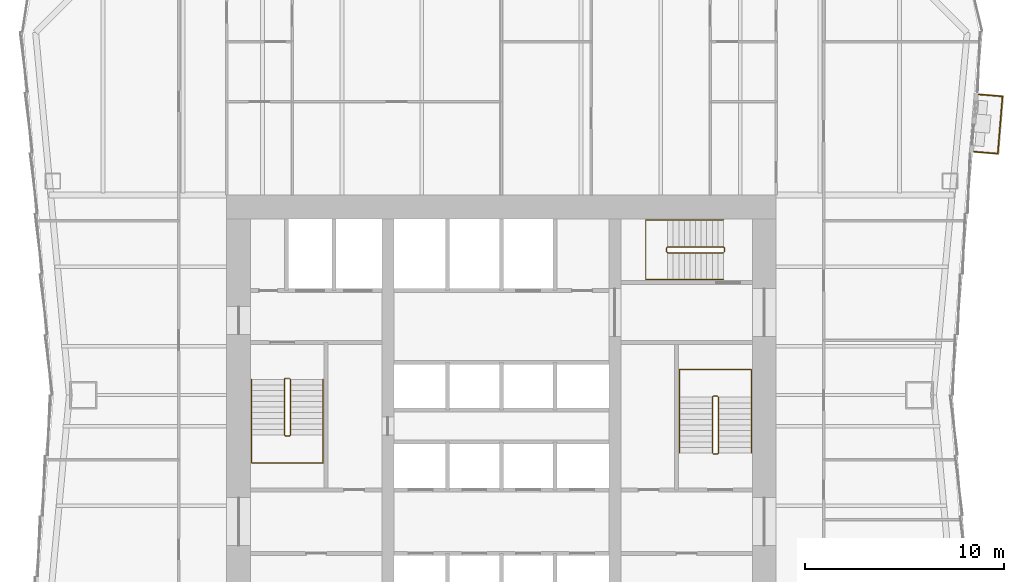
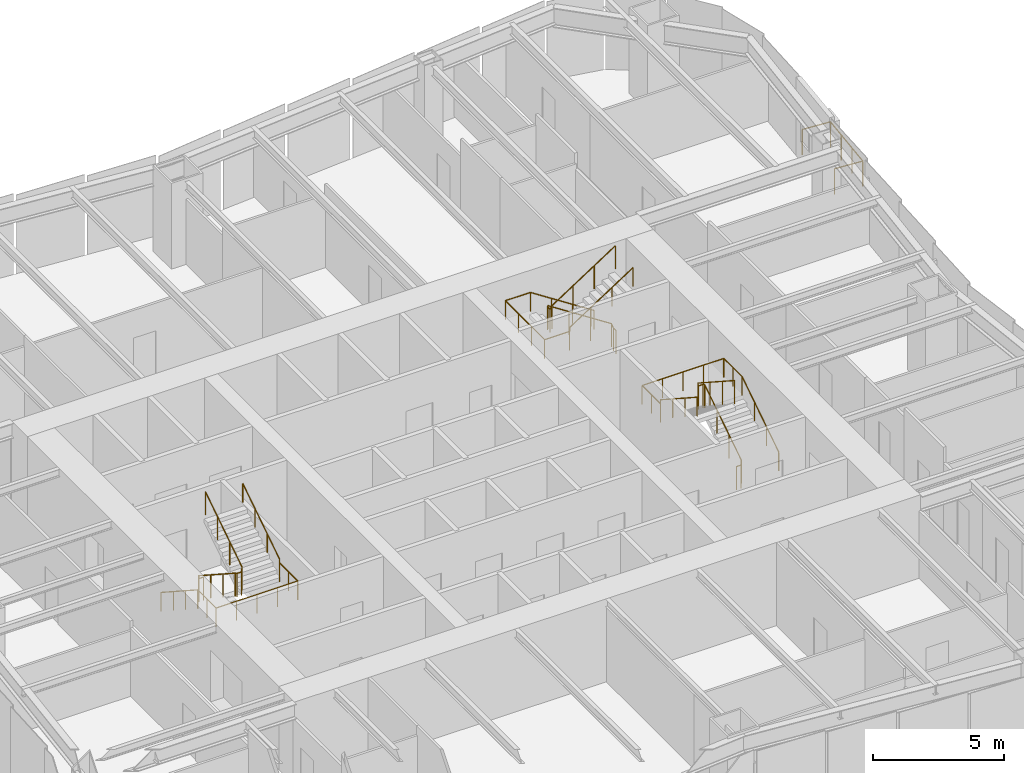
# One storey, part 8 of 9: 7 railings.
"""IFC4 building model written with IfcOpenShell, lengths in metres."""

import ifcopenshell
import ifcopenshell.guid

model = None  # the IFC model being written
_history = None  # IfcOwnerHistory: only IFC2X3 demands one
_inside = {}  # id of a spatial element -> (the spatial element, [elements in it])
_under = {}  # id of a project, library or spatial element -> (it, [spatial elements below it])
_declared = {}  # id of a project -> (the project, [libraries it declares])
_typed = {}  # id of a type object -> (the type object, [elements of that type])
_made_of = {}  # id of a material, layer set ... -> (it, [elements and type objects made of it])


def new_model(schema):
    """Start an empty IFC model of exactly this schema.

    Asked for "IFC4X3", IfcOpenShell would pick the latest addendum, in which some entities
    have other attributes; the version numbers below select the first issue.
    IFC2X3 requires an IfcOwnerHistory on every rooted entity: one is made here for all.
    """
    global model, _history
    if schema == "IFC4X3":
        model = ifcopenshell.file(schema_version=(4, 3, 0, 0))
    else:
        model = ifcopenshell.file(schema=schema)
    _inside.clear()
    _under.clear()
    _declared.clear()
    _typed.clear()
    _made_of.clear()
    _history = None
    if model.schema == "IFC2X3":
        org = make("IfcOrganization", Name="unknown")
        user = make(
            "IfcPersonAndOrganization",
            ThePerson=make("IfcPerson", FamilyName="unknown"),
            TheOrganization=org,
        )
        app = make(
            "IfcApplication",
            ApplicationDeveloper=org,
            Version="unknown",
            ApplicationFullName="unknown",
            ApplicationIdentifier="unknown",
        )
        _history = make(
            "IfcOwnerHistory",
            OwningUser=user,
            OwningApplication=app,
            ChangeAction="ADDED",
            CreationDate=0,
        )
    return model


def make(cls, **values):
    """One entity of the class cls with the attributes given. An attribute that is None is left unset."""
    return model.create_entity(
        cls, **{name: value for name, value in values.items() if value is not None}
    )


def rooted(cls, **values):
    """An entity with a GlobalId (a new one), such as an element, a storey or a relation."""
    return make(cls, GlobalId=ifcopenshell.guid.new(), OwnerHistory=_history, **values)


def si_unit(unit_type, name, prefix=None):
    """IfcSIUnit, for example si_unit("LENGTHUNIT", "METRE", prefix="MILLI")."""
    return make("IfcSIUnit", UnitType=unit_type, Prefix=prefix, Name=name)


def assignment(units):
    """IfcUnitAssignment: the units of a project."""
    return None if units is None else make("IfcUnitAssignment", Units=units)


def point(xyz):
    """IfcCartesianPoint."""
    return None if xyz is None else make("IfcCartesianPoint", Coordinates=xyz)


def direction(xyz):
    """IfcDirection."""
    return None if xyz is None else make("IfcDirection", DirectionRatios=xyz)


def frame(location, z_axis=None, x_axis=None):
    """IfcAxis2Placement3D, a coordinate frame: its origin and axes. An axis left out is left unset."""
    return make(
        "IfcAxis2Placement3D",
        Location=point(location),
        Axis=direction(z_axis),
        RefDirection=direction(x_axis),
    )


def frame_2d(location, x_axis=None):
    """IfcAxis2Placement2D, a coordinate frame in the plane: its origin and x axis."""
    return make(
        "IfcAxis2Placement2D", Location=point(location), RefDirection=direction(x_axis)
    )


def origin():
    """The frame at (0, 0, 0) with its axes left unset."""
    return frame((0.0, 0.0, 0.0))


def origin_2d():
    """The frame at (0, 0) in the plane with its x axis left unset."""
    return frame_2d((0.0, 0.0))


def place(relative_to, where):
    """IfcLocalPlacement: puts the frame where relative to a parent placement (None: the world)."""
    return make(
        "IfcLocalPlacement", PlacementRelTo=relative_to, RelativePlacement=where
    )


def context(
    kind, dimensions, precision=None, world=None, true_north=None, identifier=None
):
    """IfcGeometricRepresentationContext, for example the 3D "Model" context."""
    return make(
        "IfcGeometricRepresentationContext",
        ContextIdentifier=identifier,
        ContextType=kind,
        CoordinateSpaceDimension=dimensions,
        Precision=precision,
        WorldCoordinateSystem=world,
        TrueNorth=true_north,
    )


def subcontext(parent, identifier, kind, view, scale=None):
    """IfcGeometricRepresentationSubContext, for example "Body" below "Model"."""
    return make(
        "IfcGeometricRepresentationSubContext",
        ContextIdentifier=identifier,
        ContextType=kind,
        ParentContext=parent,
        TargetScale=scale,
        TargetView=view,
    )


def project(units=None, contexts=None):
    """IfcProject with its units and contexts."""
    return rooted(
        "IfcProject",
        Name="project",
        RepresentationContexts=contexts,
        UnitsInContext=assignment(units),
    )


def spatial(cls, under=None, at=None, **own):
    """A site, building, storey or space (cls), placed at a placement, below another one or the project."""
    s = rooted(cls, ObjectPlacement=at, **own)
    if under is not None:
        _under.setdefault(under.id(), (under, []))[1].append(s)
    return s


def profile(cls, at=None, kind="AREA", **sizes):
    """A parametric profile (cls). Its sizes go by their IFC names, for example OverallWidth=200.0."""
    return make(cls, ProfileType=kind, Position=at, **sizes)


def circle(**sizes):
    """IfcCircleProfileDef."""
    return profile("IfcCircleProfileDef", **sizes)


def extrude(swept, where, along, depth):
    """IfcExtrudedAreaSolid: the profile swept, set in the frame where, extruded along a direction by depth."""
    return make(
        "IfcExtrudedAreaSolid",
        SweptArea=swept,
        Position=where,
        ExtrudedDirection=direction(along),
        Depth=depth,
    )


def shape(context_of_items, identifier, shape_type, items):
    """IfcShapeRepresentation: the items that make up one representation, for example the "Body"."""
    return make(
        "IfcShapeRepresentation",
        ContextOfItems=context_of_items,
        RepresentationIdentifier=identifier,
        RepresentationType=shape_type,
        Items=items,
    )


def material(Name=None, Category=None):
    """IfcMaterial."""
    return make("IfcMaterial", Name=Name, Category=Category)


def made_of(thing, what):
    """Note that an element or type object is made of a material, layer set ...; save() writes the relation."""
    if what is not None:
        _made_of.setdefault(what.id(), (what, []))[1].append(thing)
    return thing


def type_object(cls, material=None, **own):
    """A type object (cls), such as IfcWallType, which elements share."""
    return made_of(rooted(cls, **own), material)


def element(
    cls,
    number,
    at=None,
    inside=None,
    cuts=None,
    type_object=None,
    material=None,
    context=None,
    identifier="Body",
    shape_type=None,
    held_by="IfcProductDefinitionShape",
    body=None,
    shapes=None,
    **own,
):
    """One element of the class cls, such as IfcWall. Its Tag is "e" and its number.

    at: its placement. inside: the storey or other place that contains it. cuts: it is an
    opening in that element (IfcRelVoidsElement). A single representation is given by context,
    identifier, shape_type and body (its items); several are given by shapes. held_by: the class
    of the entity that holds the representations. save() writes the other relations.
    """
    e = rooted(cls, Tag="e%d" % number, ObjectPlacement=at, **own)
    if body is not None:
        shapes = [shape(context, identifier, shape_type, body)]
    if shapes is not None:
        e.Representation = make(held_by, Representations=shapes)
    if inside is not None:
        _inside.setdefault(inside.id(), (inside, []))[1].append(e)
    if cuts is not None:
        rooted(
            "IfcRelVoidsElement", RelatingBuildingElement=cuts, RelatedOpeningElement=e
        )
    if type_object is not None:
        _typed.setdefault(type_object.id(), (type_object, []))[1].append(e)
    return made_of(e, material)


def aggregate(whole, parts):
    """IfcRelAggregates: a whole, such as a stair, and the parts it consists of."""
    return rooted("IfcRelAggregates", RelatingObject=whole, RelatedObjects=parts)


def save(model, path):
    """Write the relations noted so far, then the file.

    IfcRelAggregates (storeys below a building ...), IfcRelContainedInSpatialStructure (elements
    in a storey), IfcRelDefinesByType, IfcRelAssociatesMaterial and IfcRelDeclares: one each for
    every whole, place, type object, material and project.
    """
    for whole, parts in _under.values():
        aggregate(whole, parts)
    for where, things in _inside.values():
        rooted(
            "IfcRelContainedInSpatialStructure",
            RelatedElements=things,
            RelatingStructure=where,
        )
    for kind, things in _typed.values():
        rooted("IfcRelDefinesByType", RelatedObjects=things, RelatingType=kind)
    for what, things in _made_of.values():
        rooted("IfcRelAssociatesMaterial", RelatedObjects=things, RelatingMaterial=what)
    for by, libraries in _declared.values():
        rooted("IfcRelDeclares", RelatingContext=by, RelatedDefinitions=libraries)
    model.write(path)


model = new_model("IFC4")

# Units and contexts
model_context = context("Model", 3, precision=1e-05, world=origin(), true_north=direction((0.0, 1.0)))
body_context = subcontext(model_context, "Body", "Model", "MODEL_VIEW")
ifc_project = project(units=[si_unit("LENGTHUNIT", "METRE"), si_unit("AREAUNIT", "SQUARE_METRE"), si_unit("VOLUMEUNIT", "CUBIC_METRE"), si_unit("PLANEANGLEUNIT", "RADIAN"), si_unit("MASSUNIT", "GRAM", prefix="KILO")], contexts=[model_context])

# Site, building, storey
site_placement = place(None, origin())
site = spatial("IfcSite", under=ifc_project, at=site_placement, CompositionType="ELEMENT")
building_placement = place(site_placement, origin())
building = spatial("IfcBuilding", under=site, at=building_placement, Name="Verdant Reach Tower", CompositionType="ELEMENT")
storey_placement = place(building_placement, frame((0.0, 0.0, 86.0)))
storey = spatial("IfcBuildingStorey", under=building, at=storey_placement, Name="L19", CompositionType="ELEMENT", Elevation=86.0)

# Railings
ifc_material_1 = material(Name="Stainless steel", Category="steel")
railing_type_1 = type_object("IfcRailingType", Name="CO-GUARD", PredefinedType="GUARDRAIL", material=ifc_material_1)
railing_1_placement = place(storey_placement, frame((-10.64990234375, 29.60009765625, 0.0)))
element("IfcRailing", 1, at=railing_1_placement, inside=storey, type_object=railing_type_1, Name="L19 ST-1 stair guard 1", PredefinedType="GUARDRAIL", context=body_context, shape_type="SweptSolid", body=[
    extrude(circle(Radius=0.02392578125, at=origin_2d()), frame((0.0, 0.0, 1.076171875), z_axis=(-1.0, 0.0, 0.0), x_axis=(0.0, -1.0, 0.0)), (0.0, 0.0, 1.0), 0.2001953125),
    extrude(circle(Radius=0.02392578125, at=origin_2d()), frame((-0.2001953125, 0.0, 1.076171875), z_axis=(-0.25526617399, -0.256517478764, 0.932222056972), x_axis=(0.708833529934, -0.705375805398, 0.0)), (0.0, 0.0, 1.0), 0.195068359375),
    extrude(circle(Radius=0.02392578125, at=origin_2d()), frame((-0.25, -0.050048828125, 1.2578125), z_axis=(0.0, -0.838705829183, 0.544584733623), x_axis=(1.0, 0.0, 0.0)), (0.0, 0.0, 1.0), 3.338623046875),
    extrude(circle(Radius=0.02392578125, at=origin_2d()), frame((-0.25, -2.85009765625, 3.076171875), z_axis=(0.705375805398, -0.708833529934, 0.0), x_axis=(0.708833529934, 0.705375805398, 0.0)), (0.0, 0.0, 1.0), 0.070556640625),
    extrude(circle(Radius=0.02392578125, at=origin_2d()), frame((-0.2001953125, -2.900146484375, 3.076171875), z_axis=(1.0, 0.0, 0.0), x_axis=(0.0, 1.0, 0.0)), (0.0, 0.0, 1.0), 0.2001953125),
    extrude(circle(Radius=0.02392578125, at=origin_2d()), frame((0.0, -2.900146484375, 3.076171875), z_axis=(0.25526617399, 0.256517478764, 0.932222056972), x_axis=(-0.708833529934, 0.705375805398, 0.0)), (0.0, 0.0, 1.0), 0.195068359375),
    extrude(circle(Radius=0.02392578125, at=origin_2d()), frame((0.0498046875, -2.85009765625, 3.2578125), z_axis=(0.0, 0.838705829183, 0.544584733623), x_axis=(-1.0, 0.0, 0.0)), (0.0, 0.0, 1.0), 3.338623046875),
    extrude(circle(Radius=0.02099609375, at=origin_2d()), origin(), (0.0, 0.0, 1.0), 1.052001953125),
    extrude(circle(Radius=0.02099609375, at=origin_2d()), frame((-0.2001953125, 0.0, 0.0)), (0.0, 0.0, 1.0), 1.052001953125),
    extrude(circle(Radius=0.02099609375, at=origin_2d()), frame((-0.25, -0.050048828125, 0.181884765625)), (0.0, 0.0, 1.0), 1.052001953125),
    extrude(circle(Radius=0.02099609375, at=origin_2d()), frame((-0.25, -0.9833984375, 0.787841796875)), (0.0, 0.0, 1.0), 1.052001953125),
    extrude(circle(Radius=0.02099609375, at=origin_2d()), frame((-0.25, -1.916748046875, 1.39404296875)), (0.0, 0.0, 1.0), 1.052001953125),
    extrude(circle(Radius=0.02099609375, at=origin_2d()), frame((-0.25, -2.85009765625, 2.0)), (0.0, 0.0, 1.0), 1.052001953125),
    extrude(circle(Radius=0.02099609375, at=origin_2d()), frame((-0.2001953125, -2.900146484375, 2.0)), (0.0, 0.0, 1.0), 1.052001953125),
    extrude(circle(Radius=0.02099609375, at=origin_2d()), frame((0.0, -2.900146484375, 2.0)), (0.0, 0.0, 1.0), 1.052001953125),
    extrude(circle(Radius=0.02099609375, at=origin_2d()), frame((0.0498046875, -2.85009765625, 2.181884765625)), (0.0, 0.0, 1.0), 1.052001953125),
    extrude(circle(Radius=0.02099609375, at=origin_2d()), frame((0.0498046875, -1.916748046875, 2.787841796875)), (0.0, 0.0, 1.0), 1.052001953125),
    extrude(circle(Radius=0.02099609375, at=origin_2d()), frame((0.0498046875, -0.9833984375, 3.39404296875)), (0.0, 0.0, 1.0), 1.052001953125),
    extrude(circle(Radius=0.02099609375, at=origin_2d()), frame((0.0498046875, -0.050048828125, 4.0)), (0.0, 0.0, 1.0), 1.052001953125),
])
railing_2_placement = place(storey_placement, frame((10.64990234375, 25.800048828125, 0.0)))
element("IfcRailing", 2, at=railing_2_placement, inside=storey, type_object=railing_type_1, Name="L19 ST-2 stair guard 1", PredefinedType="GUARDRAIL", context=body_context, shape_type="SweptSolid", body=[
    extrude(circle(Radius=0.02392578125, at=origin_2d()), frame((0.0, 0.0, 1.076171875), z_axis=(1.0, 0.0, 0.0), x_axis=(0.0, 1.0, 0.0)), (0.0, 0.0, 1.0), 0.2001953125),
    extrude(circle(Radius=0.02392578125, at=origin_2d()), frame((0.2001953125, 0.0, 1.076171875), z_axis=(0.25526617399, 0.256517478764, 0.932222056972), x_axis=(-0.708833529934, 0.705375805398, 0.0)), (0.0, 0.0, 1.0), 0.195068359375),
    extrude(circle(Radius=0.02392578125, at=origin_2d()), frame((0.25, 0.050048828125, 1.2578125), z_axis=(0.0, 0.83868413941, 0.544618136222), x_axis=(-1.0, 0.0, 0.0)), (0.0, 0.0, 1.0), 3.33837890625),
    extrude(circle(Radius=0.02392578125, at=origin_2d()), frame((0.25, 2.849853515625, 3.076171875), z_axis=(-0.705375805398, 0.708833529934, 0.0), x_axis=(-0.708833529934, -0.705375805398, 0.0)), (0.0, 0.0, 1.0), 0.070556640625),
    extrude(circle(Radius=0.02392578125, at=origin_2d()), frame((0.2001953125, 2.89990234375, 3.076171875), z_axis=(-1.0, 0.0, 0.0), x_axis=(0.0, -1.0, 0.0)), (0.0, 0.0, 1.0), 0.2001953125),
    extrude(circle(Radius=0.02392578125, at=origin_2d()), frame((0.0, 2.89990234375, 3.076171875), z_axis=(-0.25526617399, -0.256517478764, 0.932222056972), x_axis=(0.708833529934, -0.705375805398, 0.0)), (0.0, 0.0, 1.0), 0.195068359375),
    extrude(circle(Radius=0.02392578125, at=origin_2d()), frame((-0.0498046875, 2.849853515625, 3.2578125), z_axis=(0.0, -0.83868413941, 0.544618136222), x_axis=(1.0, 0.0, 0.0)), (0.0, 0.0, 1.0), 3.33837890625),
    extrude(circle(Radius=0.02099609375, at=origin_2d()), origin(), (0.0, 0.0, 1.0), 1.052001953125),
    extrude(circle(Radius=0.02099609375, at=origin_2d()), frame((0.2001953125, 0.0, 0.0)), (0.0, 0.0, 1.0), 1.052001953125),
    extrude(circle(Radius=0.02099609375, at=origin_2d()), frame((0.25, 0.050048828125, 0.181884765625)), (0.0, 0.0, 1.0), 1.052001953125),
    extrude(circle(Radius=0.02099609375, at=origin_2d()), frame((0.25, 0.9833984375, 0.787841796875)), (0.0, 0.0, 1.0), 1.052001953125),
    extrude(circle(Radius=0.02099609375, at=origin_2d()), frame((0.25, 1.91650390625, 1.39404296875)), (0.0, 0.0, 1.0), 1.052001953125),
    extrude(circle(Radius=0.02099609375, at=origin_2d()), frame((0.25, 2.849853515625, 2.0)), (0.0, 0.0, 1.0), 1.052001953125),
    extrude(circle(Radius=0.02099609375, at=origin_2d()), frame((0.2001953125, 2.89990234375, 2.0)), (0.0, 0.0, 1.0), 1.052001953125),
    extrude(circle(Radius=0.02099609375, at=origin_2d()), frame((0.0, 2.89990234375, 2.0)), (0.0, 0.0, 1.0), 1.052001953125),
    extrude(circle(Radius=0.02099609375, at=origin_2d()), frame((-0.0498046875, 2.849853515625, 2.181884765625)), (0.0, 0.0, 1.0), 1.052001953125),
    extrude(circle(Radius=0.02099609375, at=origin_2d()), frame((-0.0498046875, 1.91650390625, 2.787841796875)), (0.0, 0.0, 1.0), 1.052001953125),
    extrude(circle(Radius=0.02099609375, at=origin_2d()), frame((-0.0498046875, 0.9833984375, 3.39404296875)), (0.0, 0.0, 1.0), 1.052001953125),
    extrude(circle(Radius=0.02099609375, at=origin_2d()), frame((-0.0498046875, 0.050048828125, 4.0)), (0.0, 0.0, 1.0), 1.052001953125),
])
railing_3_placement = place(storey_placement, frame((11.199951171875, 35.949951171875, 0.0)))
element("IfcRailing", 3, at=railing_3_placement, inside=storey, type_object=railing_type_1, Name="L19 ST-3 stair guard 1", PredefinedType="GUARDRAIL", context=body_context, shape_type="SweptSolid", body=[
    extrude(circle(Radius=0.02392578125, at=origin_2d()), frame((0.0, 0.0, 1.076171875), z_axis=(0.0, 1.0, 0.0), x_axis=(-1.0, 0.0, 0.0)), (0.0, 0.0, 1.0), 0.199951171875),
    extrude(circle(Radius=0.02392578125, at=origin_2d()), frame((0.0, 0.199951171875, 1.076171875), z_axis=(-0.256435381639, 0.256435381639, 0.931923704005), x_axis=(-0.707106781187, -0.707106781187, 0.0)), (0.0, 0.0, 1.0), 0.195068359375),
    extrude(circle(Radius=0.02392578125, at=origin_2d()), frame((-0.050048828125, 0.25, 1.2578125), z_axis=(-0.83868413941, 0.0, 0.544618136222), x_axis=(0.0, -1.0, 0.0)), (0.0, 0.0, 1.0), 3.33837890625),
    extrude(circle(Radius=0.02392578125, at=origin_2d()), frame((-2.849853515625, 0.25, 3.076171875), z_axis=(-0.707106781187, -0.707106781187, 0.0), x_axis=(0.707106781187, -0.707106781187, 0.0)), (0.0, 0.0, 1.0), 0.07080078125),
    extrude(circle(Radius=0.02392578125, at=origin_2d()), frame((-2.89990234375, 0.199951171875, 3.076171875), z_axis=(0.0, -1.0, 0.0), x_axis=(1.0, 0.0, 0.0)), (0.0, 0.0, 1.0), 0.199951171875),
    extrude(circle(Radius=0.02392578125, at=origin_2d()), frame((-2.89990234375, 0.0, 3.076171875), z_axis=(0.256435381639, -0.256435381639, 0.931923704005), x_axis=(0.707106781187, 0.707106781187, 0.0)), (0.0, 0.0, 1.0), 0.195068359375),
    extrude(circle(Radius=0.02392578125, at=origin_2d()), frame((-2.849853515625, -0.050048828125, 3.2578125), z_axis=(0.83868413941, 0.0, 0.544618136222), x_axis=(0.0, 1.0, 0.0)), (0.0, 0.0, 1.0), 3.33837890625),
    extrude(circle(Radius=0.02099609375, at=origin_2d()), origin(), (0.0, 0.0, 1.0), 1.052001953125),
    extrude(circle(Radius=0.02099609375, at=origin_2d()), frame((0.0, 0.199951171875, 0.0)), (0.0, 0.0, 1.0), 1.052001953125),
    extrude(circle(Radius=0.02099609375, at=origin_2d()), frame((-0.050048828125, 0.25, 0.181884765625)), (0.0, 0.0, 1.0), 1.052001953125),
    extrude(circle(Radius=0.02099609375, at=origin_2d()), frame((-0.9833984375, 0.25, 0.787841796875)), (0.0, 0.0, 1.0), 1.052001953125),
    extrude(circle(Radius=0.02099609375, at=origin_2d()), frame((-1.91650390625, 0.25, 1.39404296875)), (0.0, 0.0, 1.0), 1.052001953125),
    extrude(circle(Radius=0.02099609375, at=origin_2d()), frame((-2.849853515625, 0.25, 2.0)), (0.0, 0.0, 1.0), 1.052001953125),
    extrude(circle(Radius=0.02099609375, at=origin_2d()), frame((-2.89990234375, 0.199951171875, 2.0)), (0.0, 0.0, 1.0), 1.052001953125),
    extrude(circle(Radius=0.02099609375, at=origin_2d()), frame((-2.89990234375, 0.0, 2.0)), (0.0, 0.0, 1.0), 1.052001953125),
    extrude(circle(Radius=0.02099609375, at=origin_2d()), frame((-2.849853515625, -0.050048828125, 2.181884765625)), (0.0, 0.0, 1.0), 1.052001953125),
    extrude(circle(Radius=0.02099609375, at=origin_2d()), frame((-1.91650390625, -0.050048828125, 2.787841796875)), (0.0, 0.0, 1.0), 1.052001953125),
    extrude(circle(Radius=0.02099609375, at=origin_2d()), frame((-0.9833984375, -0.050048828125, 3.39404296875)), (0.0, 0.0, 1.0), 1.052001953125),
    extrude(circle(Radius=0.02099609375, at=origin_2d()), frame((-0.050048828125, -0.050048828125, 4.0)), (0.0, 0.0, 1.0), 1.052001953125),
])
railing_type_2 = type_object("IfcRailingType", Name="CO-HANDRAIL", PredefinedType="HANDRAIL", material=ifc_material_1)
railing_4_placement = place(storey_placement, frame((-12.550048828125, 29.550048828125, 0.181884765625)))
element("IfcRailing", 4, at=railing_4_placement, inside=storey, type_object=railing_type_2, Name="L19 ST-1 stair handrail 1", PredefinedType="HANDRAIL", context=body_context, shape_type="SweptSolid", body=[
    extrude(circle(Radius=0.02392578125, at=origin_2d()), frame((0.0, 0.0, 0.8759765625), z_axis=(0.0, -0.838705829183, 0.544584733623), x_axis=(1.0, 0.0, 0.0)), (0.0, 0.0, 1.0), 3.338623046875),
    extrude(circle(Radius=0.02392578125, at=origin_2d()), frame((0.0, -2.800048828125, 2.69384765625), z_axis=(0.0, -1.0, 0.0), x_axis=(1.0, 0.0, 0.0)), (0.0, 0.0, 1.0), 1.39990234375),
    extrude(circle(Radius=0.02392578125, at=origin_2d()), frame((0.0, -4.199951171875, 2.69384765625), z_axis=(1.0, 0.0, 0.0), x_axis=(0.0, 1.0, 0.0)), (0.0, 0.0, 1.0), 3.60009765625),
    extrude(circle(Radius=0.02392578125, at=origin_2d()), frame((3.60009765625, -4.199951171875, 2.69384765625), z_axis=(0.0, 1.0, 0.0), x_axis=(-1.0, 0.0, 0.0)), (0.0, 0.0, 1.0), 1.39990234375),
    extrude(circle(Radius=0.02392578125, at=origin_2d()), frame((3.60009765625, -2.800048828125, 2.69384765625), z_axis=(0.0, 0.0, 1.0), x_axis=(1.0, 0.0, 0.0)), (0.0, 0.0, 1.0), 0.181884765625),
    extrude(circle(Radius=0.02392578125, at=origin_2d()), frame((3.60009765625, -2.800048828125, 2.8759765625), z_axis=(0.0, 0.838705829183, 0.544584733623), x_axis=(-1.0, 0.0, 0.0)), (0.0, 0.0, 1.0), 3.338623046875),
    extrude(circle(Radius=0.02099609375, at=origin_2d()), origin(), (0.0, 0.0, 1.0), 0.851806640625),
    extrude(circle(Radius=0.02099609375, at=origin_2d()), frame((0.0, -0.933349609375, 0.60595703125)), (0.0, 0.0, 1.0), 0.851806640625),
    extrude(circle(Radius=0.02099609375, at=origin_2d()), frame((0.0, -1.86669921875, 1.212158203125)), (0.0, 0.0, 1.0), 0.851806640625),
    extrude(circle(Radius=0.02099609375, at=origin_2d()), frame((0.0, -2.800048828125, 1.818115234375)), (0.0, 0.0, 1.0), 0.851806640625),
    extrude(circle(Radius=0.02099609375, at=origin_2d()), frame((0.0, -3.5, 1.818115234375)), (0.0, 0.0, 1.0), 0.851806640625),
    extrude(circle(Radius=0.02099609375, at=origin_2d()), frame((0.0, -4.199951171875, 1.818115234375)), (0.0, 0.0, 1.0), 0.851806640625),
    extrude(circle(Radius=0.02099609375, at=origin_2d()), frame((0.89990234375, -4.199951171875, 1.818115234375)), (0.0, 0.0, 1.0), 0.851806640625),
    extrude(circle(Radius=0.02099609375, at=origin_2d()), frame((1.800048828125, -4.199951171875, 1.818115234375)), (0.0, 0.0, 1.0), 0.851806640625),
    extrude(circle(Radius=0.02099609375, at=origin_2d()), frame((2.7001953125, -4.199951171875, 1.818115234375)), (0.0, 0.0, 1.0), 0.851806640625),
    extrude(circle(Radius=0.02099609375, at=origin_2d()), frame((3.60009765625, -4.199951171875, 1.818115234375)), (0.0, 0.0, 1.0), 0.851806640625),
    extrude(circle(Radius=0.02099609375, at=origin_2d()), frame((3.60009765625, -3.5, 1.818115234375)), (0.0, 0.0, 1.0), 0.851806640625),
    extrude(circle(Radius=0.02099609375, at=origin_2d()), frame((3.60009765625, -2.800048828125, 1.818115234375)), (0.0, 0.0, 1.0), 0.851806640625),
    extrude(circle(Radius=0.02099609375, at=origin_2d()), frame((3.60009765625, -2.800048828125, 2.0)), (0.0, 0.0, 1.0), 0.851806640625),
    extrude(circle(Radius=0.02099609375, at=origin_2d()), frame((3.60009765625, -1.86669921875, 2.60595703125)), (0.0, 0.0, 1.0), 0.851806640625),
    extrude(circle(Radius=0.02099609375, at=origin_2d()), frame((3.60009765625, -0.933349609375, 3.212158203125)), (0.0, 0.0, 1.0), 0.851806640625),
    extrude(circle(Radius=0.02099609375, at=origin_2d()), frame((3.60009765625, 0.0, 3.818115234375)), (0.0, 0.0, 1.0), 0.851806640625),
])
railing_5_placement = place(storey_placement, frame((12.550048828125, 25.85009765625, 0.181884765625)))
element("IfcRailing", 5, at=railing_5_placement, inside=storey, type_object=railing_type_2, Name="L19 ST-2 stair handrail 1", PredefinedType="HANDRAIL", context=body_context, shape_type="SweptSolid", body=[
    extrude(circle(Radius=0.02392578125, at=origin_2d()), frame((0.0, 0.0, 0.8759765625), z_axis=(0.0, 0.83868413941, 0.544618136222), x_axis=(-1.0, 0.0, 0.0)), (0.0, 0.0, 1.0), 3.33837890625),
    extrude(circle(Radius=0.02392578125, at=origin_2d()), frame((0.0, 2.7998046875, 2.69384765625), z_axis=(0.0, 1.0, 0.0), x_axis=(-1.0, 0.0, 0.0)), (0.0, 0.0, 1.0), 1.400146484375),
    extrude(circle(Radius=0.02392578125, at=origin_2d()), frame((0.0, 4.199951171875, 2.69384765625), z_axis=(-1.0, 0.0, 0.0), x_axis=(0.0, -1.0, 0.0)), (0.0, 0.0, 1.0), 3.60009765625),
    extrude(circle(Radius=0.02392578125, at=origin_2d()), frame((-3.60009765625, 4.199951171875, 2.69384765625), z_axis=(0.0, -1.0, 0.0), x_axis=(1.0, 0.0, 0.0)), (0.0, 0.0, 1.0), 1.400146484375),
    extrude(circle(Radius=0.02392578125, at=origin_2d()), frame((-3.60009765625, 2.7998046875, 2.69384765625), z_axis=(0.0, 0.0, 1.0), x_axis=(1.0, 0.0, 0.0)), (0.0, 0.0, 1.0), 0.181884765625),
    extrude(circle(Radius=0.02392578125, at=origin_2d()), frame((-3.60009765625, 2.7998046875, 2.8759765625), z_axis=(0.0, -0.83868413941, 0.544618136222), x_axis=(1.0, 0.0, 0.0)), (0.0, 0.0, 1.0), 3.33837890625),
    extrude(circle(Radius=0.02099609375, at=origin_2d()), origin(), (0.0, 0.0, 1.0), 0.851806640625),
    extrude(circle(Radius=0.02099609375, at=origin_2d()), frame((0.0, 0.933349609375, 0.60595703125)), (0.0, 0.0, 1.0), 0.851806640625),
    extrude(circle(Radius=0.02099609375, at=origin_2d()), frame((0.0, 1.866455078125, 1.212158203125)), (0.0, 0.0, 1.0), 0.851806640625),
    extrude(circle(Radius=0.02099609375, at=origin_2d()), frame((0.0, 2.7998046875, 1.818115234375)), (0.0, 0.0, 1.0), 0.851806640625),
    extrude(circle(Radius=0.02099609375, at=origin_2d()), frame((0.0, 3.5, 1.818115234375)), (0.0, 0.0, 1.0), 0.851806640625),
    extrude(circle(Radius=0.02099609375, at=origin_2d()), frame((0.0, 4.199951171875, 1.818115234375)), (0.0, 0.0, 1.0), 0.851806640625),
    extrude(circle(Radius=0.02099609375, at=origin_2d()), frame((-0.89990234375, 4.199951171875, 1.818115234375)), (0.0, 0.0, 1.0), 0.851806640625),
    extrude(circle(Radius=0.02099609375, at=origin_2d()), frame((-1.800048828125, 4.199951171875, 1.818115234375)), (0.0, 0.0, 1.0), 0.851806640625),
    extrude(circle(Radius=0.02099609375, at=origin_2d()), frame((-2.7001953125, 4.199951171875, 1.818115234375)), (0.0, 0.0, 1.0), 0.851806640625),
    extrude(circle(Radius=0.02099609375, at=origin_2d()), frame((-3.60009765625, 4.199951171875, 1.818115234375)), (0.0, 0.0, 1.0), 0.851806640625),
    extrude(circle(Radius=0.02099609375, at=origin_2d()), frame((-3.60009765625, 3.5, 1.818115234375)), (0.0, 0.0, 1.0), 0.851806640625),
    extrude(circle(Radius=0.02099609375, at=origin_2d()), frame((-3.60009765625, 2.7998046875, 1.818115234375)), (0.0, 0.0, 1.0), 0.851806640625),
    extrude(circle(Radius=0.02099609375, at=origin_2d()), frame((-3.60009765625, 2.7998046875, 2.0)), (0.0, 0.0, 1.0), 0.851806640625),
    extrude(circle(Radius=0.02099609375, at=origin_2d()), frame((-3.60009765625, 1.866455078125, 2.60595703125)), (0.0, 0.0, 1.0), 0.851806640625),
    extrude(circle(Radius=0.02099609375, at=origin_2d()), frame((-3.60009765625, 0.933349609375, 3.212158203125)), (0.0, 0.0, 1.0), 0.851806640625),
    extrude(circle(Radius=0.02099609375, at=origin_2d()), frame((-3.60009765625, 0.0, 3.818115234375)), (0.0, 0.0, 1.0), 0.851806640625),
])
railing_6_placement = place(storey_placement, frame((11.14990234375, 37.550048828125, 0.181884765625)))
element("IfcRailing", 6, at=railing_6_placement, inside=storey, type_object=railing_type_2, Name="L19 ST-3 stair handrail 1", PredefinedType="HANDRAIL", context=body_context, shape_type="SweptSolid", body=[
    extrude(circle(Radius=0.02392578125, at=origin_2d()), frame((0.0, 0.0, 0.8759765625), z_axis=(-0.83868413941, 0.0, 0.544618136222), x_axis=(0.0, -1.0, 0.0)), (0.0, 0.0, 1.0), 3.33837890625),
    extrude(circle(Radius=0.02392578125, at=origin_2d()), frame((-2.7998046875, 0.0, 2.69384765625), z_axis=(-1.0, 0.0, 0.0), x_axis=(0.0, -1.0, 0.0)), (0.0, 0.0, 1.0), 1.10009765625),
    extrude(circle(Radius=0.02392578125, at=origin_2d()), frame((-3.89990234375, 0.0, 2.69384765625), z_axis=(0.0, -1.0, 0.0), x_axis=(1.0, 0.0, 0.0)), (0.0, 0.0, 1.0), 3.0),
    extrude(circle(Radius=0.02392578125, at=origin_2d()), frame((-3.89990234375, -3.0, 2.69384765625), z_axis=(1.0, 0.0, 0.0), x_axis=(0.0, 1.0, 0.0)), (0.0, 0.0, 1.0), 1.10009765625),
    extrude(circle(Radius=0.02392578125, at=origin_2d()), frame((-2.7998046875, -3.0, 2.69384765625), z_axis=(0.0, 0.0, 1.0), x_axis=(1.0, 0.0, 0.0)), (0.0, 0.0, 1.0), 0.181884765625),
    extrude(circle(Radius=0.02392578125, at=origin_2d()), frame((-2.7998046875, -3.0, 2.8759765625), z_axis=(0.83868413941, 0.0, 0.544618136222), x_axis=(0.0, 1.0, 0.0)), (0.0, 0.0, 1.0), 3.33837890625),
    extrude(circle(Radius=0.02099609375, at=origin_2d()), origin(), (0.0, 0.0, 1.0), 0.851806640625),
    extrude(circle(Radius=0.02099609375, at=origin_2d()), frame((-0.933349609375, 0.0, 0.60595703125)), (0.0, 0.0, 1.0), 0.851806640625),
    extrude(circle(Radius=0.02099609375, at=origin_2d()), frame((-1.866455078125, 0.0, 1.212158203125)), (0.0, 0.0, 1.0), 0.851806640625),
    extrude(circle(Radius=0.02099609375, at=origin_2d()), frame((-2.7998046875, 0.0, 1.818115234375)), (0.0, 0.0, 1.0), 0.851806640625),
    extrude(circle(Radius=0.02099609375, at=origin_2d()), frame((-3.89990234375, 0.0, 1.818115234375)), (0.0, 0.0, 1.0), 0.851806640625),
    extrude(circle(Radius=0.02099609375, at=origin_2d()), frame((-3.89990234375, -1.0, 1.818115234375)), (0.0, 0.0, 1.0), 0.851806640625),
    extrude(circle(Radius=0.02099609375, at=origin_2d()), frame((-3.89990234375, -2.0, 1.818115234375)), (0.0, 0.0, 1.0), 0.851806640625),
    extrude(circle(Radius=0.02099609375, at=origin_2d()), frame((-3.89990234375, -3.0, 1.818115234375)), (0.0, 0.0, 1.0), 0.851806640625),
    extrude(circle(Radius=0.02099609375, at=origin_2d()), frame((-2.7998046875, -3.0, 1.818115234375)), (0.0, 0.0, 1.0), 0.851806640625),
    extrude(circle(Radius=0.02099609375, at=origin_2d()), frame((-2.7998046875, -3.0, 2.0)), (0.0, 0.0, 1.0), 0.851806640625),
    extrude(circle(Radius=0.02099609375, at=origin_2d()), frame((-1.866455078125, -3.0, 2.60595703125)), (0.0, 0.0, 1.0), 0.851806640625),
    extrude(circle(Radius=0.02099609375, at=origin_2d()), frame((-0.933349609375, -3.0, 3.212158203125)), (0.0, 0.0, 1.0), 0.851806640625),
    extrude(circle(Radius=0.02099609375, at=origin_2d()), frame((0.0, -3.0, 3.818115234375)), (0.0, 0.0, 1.0), 0.851806640625),
])
ifc_material_2 = material(Name="Stainless steel and laminated glass balustrade", Category="steel")
railing_type_3 = type_object("IfcRailingType", Name="EN-RAILING BALCONY", PredefinedType="GUARDRAIL", material=ifc_material_2)
railing_7_placement = place(storey_placement, frame((23.741943359375, 40.97802734375, 0.0)))
element("IfcRailing", 7, at=railing_7_placement, inside=storey, type_object=railing_type_3, Name="Balcony guard 1, L19", PredefinedType="GUARDRAIL", context=body_context, shape_type="SweptSolid", body=[
    extrude(circle(Radius=0.02490234375, at=origin_2d()), frame((0.0, 0.0, 1.1748046875), z_axis=(0.996649328179, -0.081793133211, 0.0), x_axis=(0.081793133211, 0.996649328179, 0.0)), (0.0, 0.0, 1.0), 1.19384765625),
    extrude(circle(Radius=0.02490234375, at=origin_2d()), frame((1.18994140625, -0.09765625, 1.1748046875), z_axis=(0.081863827639, 0.996643523896, 0.0), x_axis=(-0.996643523896, 0.081863827639, 0.0)), (0.0, 0.0, 1.0), 2.889892578125),
    extrude(circle(Radius=0.02490234375, at=origin_2d()), frame((1.426513671875, 2.782470703125, 1.1748046875), z_axis=(-0.996649328179, 0.081793133211, 0.0), x_axis=(-0.081793133211, -0.996649328179, 0.0)), (0.0, 0.0, 1.0), 1.19384765625),
    extrude(circle(Radius=0.02490234375, at=origin_2d()), origin(), (0.0, 0.0, 1.0), 1.14990234375),
    extrude(circle(Radius=0.02490234375, at=origin_2d()), frame((1.18994140625, -0.09765625, 0.0)), (0.0, 0.0, 1.0), 1.14990234375),
    extrude(circle(Radius=0.02490234375, at=origin_2d()), frame((1.268798828125, 0.8623046875, 0.0)), (0.0, 0.0, 1.0), 1.14990234375),
    extrude(circle(Radius=0.02490234375, at=origin_2d()), frame((1.34765625, 1.822509765625, 0.0)), (0.0, 0.0, 1.0), 1.14990234375),
    extrude(circle(Radius=0.02490234375, at=origin_2d()), frame((1.426513671875, 2.782470703125, 0.0)), (0.0, 0.0, 1.0), 1.14990234375),
    extrude(circle(Radius=0.02490234375, at=origin_2d()), frame((0.236572265625, 2.880126953125, 0.0)), (0.0, 0.0, 1.0), 1.14990234375),
])

save(model, "model.ifc")
